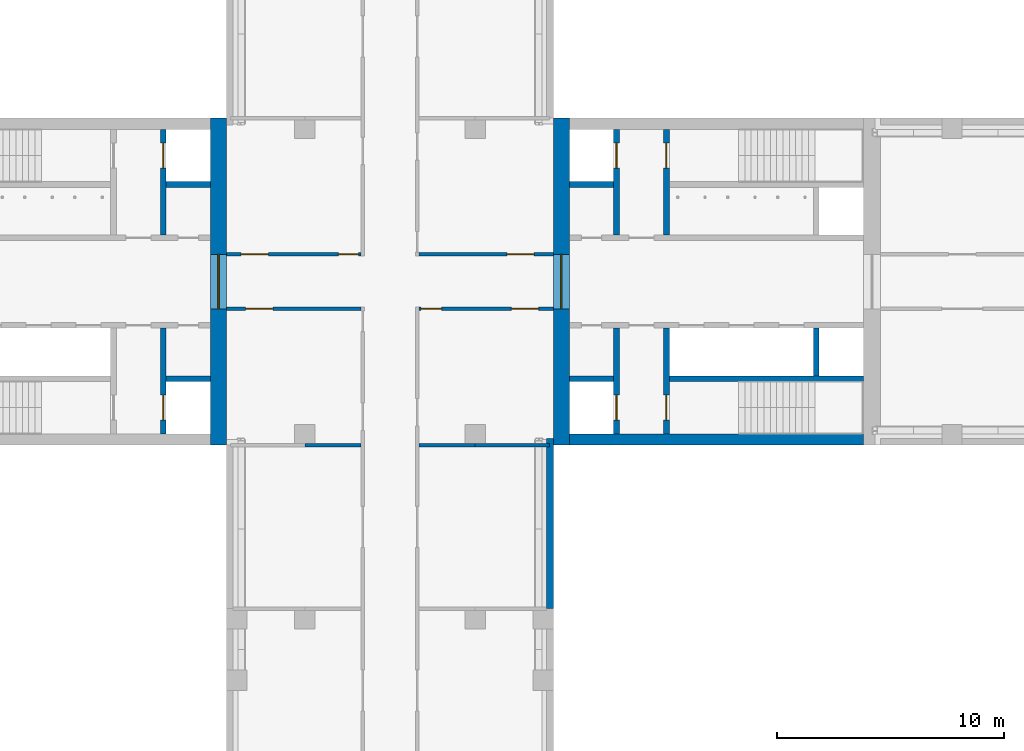
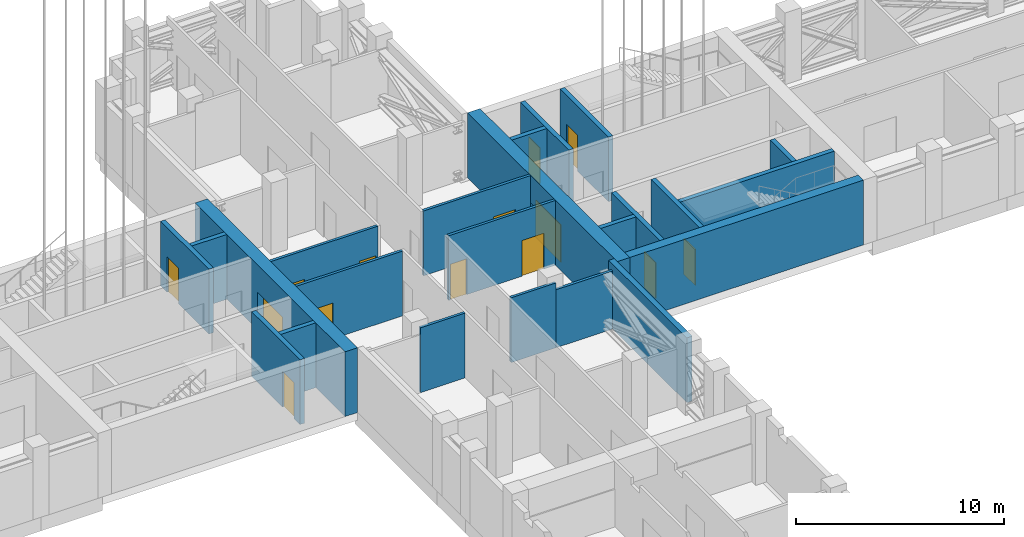
# One storey, part 6 of 22: 23 walls, 14 doors, 14 openings.
"""IFC4 building model written with IfcOpenShell, lengths in metres."""

from ifc_helpers import new_model, si_unit, direction, frame, frame_2d, origin, place, context, subcontext, project, spatial, rectangle, extrude, material, layer, layer_set, type_object, element, fill, save


model = new_model("IFC4")

# Units and contexts
model_context = context("Model", 3, precision=1e-05, world=origin(), true_north=direction((0.0, 1.0)))
body_context = subcontext(model_context, "Body", "Model", "MODEL_VIEW")
ifc_project = project(units=[si_unit("LENGTHUNIT", "METRE"), si_unit("AREAUNIT", "SQUARE_METRE"), si_unit("VOLUMEUNIT", "CUBIC_METRE"), si_unit("PLANEANGLEUNIT", "RADIAN"), si_unit("MASSUNIT", "GRAM", prefix="KILO")], contexts=[model_context])

# Site, building, storey
site_placement = place(None, origin())
site = spatial("IfcSite", under=ifc_project, at=site_placement, CompositionType="ELEMENT")
building_placement = place(site_placement, origin())
building = spatial("IfcBuilding", under=site, at=building_placement, Name="Fustian Cross Tower", CompositionType="ELEMENT")
storey_placement = place(building_placement, frame((0.0, 0.0, 111.89990234375)))
storey = spatial("IfcBuildingStorey", under=building, at=storey_placement, Name="L35", CompositionType="ELEMENT", Elevation=111.89990234375)

# Wall, opening, door
ifc_material_1 = material(Name="Plasterboard on steel stud", Category="steel")
ifc_layer_1 = layer(ifc_material_1, 0.14990234375)
ifc_layer_set_1 = layer_set([ifc_layer_1], Name="Plasterboard on steel stud")
wall_type_1 = type_object("IfcWallType", Name="COMPARTMENT WALL 150 EI 60", PredefinedType="PARTITIONING", material=ifc_layer_set_1)
wall_1_placement = place(storey_placement, frame((-7.199951171875, -1.199951171875, 0.0), z_axis=(0.0, 0.0, 1.0), x_axis=(1.0, 0.0, 0.0)))
wall_1 = element("IfcWall", 1, at=wall_1_placement, inside=storey, type_object=wall_type_1, Name="Partition 6", PredefinedType="PARTITIONING", context=body_context, shape_type="SweptSolid", body=[
    extrude(rectangle(XDim=5.925048828125, YDim=0.14990234375, at=frame_2d((2.96240234375, 0.0))), origin(), (0.0, 0.0, 1.0), 3.800048828125),
])
opening_1_placement = place(wall_1_placement, frame((0.85009765625, 0.0, 0.0)))
opening_1 = element("IfcOpeningElement", 2, at=opening_1_placement, cuts=wall_1, Name="Opening D16007", PredefinedType="OPENING", context=body_context, shape_type="SweptSolid", body=[
    extrude(rectangle(XDim=1.199951171875, YDim=2.10009765625, at=frame_2d((0.60009765625, 1.050048828125))), frame((0.0, 0.0849609375, 0.0), z_axis=(0.0, -1.0, 0.0), x_axis=(1.0, 0.0, 0.0)), (0.0, 0.0, 1.0), 0.169921875),
])
ifc_material_2 = material(Name="Timber fire door set", Category="wood")
door_type_1 = type_object("IfcDoorType", Name="FIRE SWING DOOR 1200 FD60S", OperationType="SINGLE_SWING_LEFT", PredefinedType="DOOR", material=ifc_material_2)
door_1_placement = place(opening_1_placement, frame((1.199951171875, 0.0, 0.0), z_axis=(0.0, 0.0, 1.0), x_axis=(-1.0, 0.0, 0.0)))
door_1 = element("IfcDoor", 3, at=door_1_placement, inside=storey, type_object=door_type_1, Name="Door D16007", OperationType="SINGLE_SWING_RIGHT", OverallHeight=2.10009765625, OverallWidth=1.199951171875, PredefinedType="DOOR", context=body_context, shape_type="SweptSolid", body=[
    extrude(rectangle(XDim=1.199951171875, YDim=2.10009765625, at=frame_2d((0.60009765625, 1.050048828125))), frame((0.0, 0.02490234375, 0.0), z_axis=(0.0, -1.0, 0.0), x_axis=(1.0, 0.0, 0.0)), (0.0, 0.0, 1.0), 0.050048828125),
])
fill(opening_1, door_1)

# Wall, openings, doors
wall_2_placement = place(storey_placement, frame((-7.199951171875, 1.199951171875, 0.0), z_axis=(0.0, 0.0, 1.0), x_axis=(1.0, 0.0, 0.0)))
wall_2 = element("IfcWall", 4, at=wall_2_placement, inside=storey, type_object=wall_type_1, Name="Partition 7", PredefinedType="PARTITIONING", context=body_context, shape_type="SweptSolid", body=[
    extrude(rectangle(XDim=5.925048828125, YDim=0.14990234375, at=frame_2d((2.96240234375, 0.0))), origin(), (0.0, 0.0, 1.0), 3.800048828125),
])
opening_2_placement = place(wall_2_placement, frame((0.64990234375, 0.0, 0.0)))
opening_2 = element("IfcOpeningElement", 5, at=opening_2_placement, cuts=wall_2, Name="Opening D16004", PredefinedType="OPENING", context=body_context, shape_type="SweptSolid", body=[
    extrude(rectangle(XDim=1.199951171875, YDim=2.10009765625, at=frame_2d((0.60009765625, 1.050048828125))), frame((0.0, 0.0849609375, 0.0), z_axis=(0.0, -1.0, 0.0), x_axis=(1.0, 0.0, 0.0)), (0.0, 0.0, 1.0), 0.169921875),
])
opening_3_placement = place(wall_2_placement, frame((4.925048828125, 0.0, 0.0)))
opening_3 = element("IfcOpeningElement", 6, at=opening_3_placement, cuts=wall_2, Name="Opening D16005", PredefinedType="OPENING", context=body_context, shape_type="SweptSolid", body=[
    extrude(rectangle(XDim=0.89990234375, YDim=2.10009765625, at=frame_2d((0.449951171875, 1.050048828125))), frame((0.0, 0.0849609375, 0.0), z_axis=(0.0, -1.0, 0.0), x_axis=(1.0, 0.0, 0.0)), (0.0, 0.0, 1.0), 0.169921875),
])
door_2_placement = place(opening_2_placement, frame((1.199951171875, 0.0, 0.0), z_axis=(0.0, 0.0, 1.0), x_axis=(-1.0, 0.0, 0.0)))
door_2 = element("IfcDoor", 7, at=door_2_placement, inside=storey, type_object=door_type_1, Name="Door D16004", OperationType="SINGLE_SWING_RIGHT", OverallHeight=2.10009765625, OverallWidth=1.199951171875, PredefinedType="DOOR", context=body_context, shape_type="SweptSolid", body=[
    extrude(rectangle(XDim=1.199951171875, YDim=2.10009765625, at=frame_2d((0.60009765625, 1.050048828125))), frame((0.0, 0.02490234375, 0.0), z_axis=(0.0, -1.0, 0.0), x_axis=(1.0, 0.0, 0.0)), (0.0, 0.0, 1.0), 0.050048828125),
])
fill(opening_2, door_2)
ifc_material_3 = material(Name="Timber fire door set", Category="wood")
door_type_2 = type_object("IfcDoorType", Name="FIRE SWING DOOR 900 FD30S", OperationType="SINGLE_SWING_LEFT", PredefinedType="DOOR", material=ifc_material_3)
door_3_placement = place(opening_3_placement, frame((0.89990234375, 0.0, 0.0), z_axis=(0.0, 0.0, 1.0), x_axis=(-1.0, 0.0, 0.0)))
door_3 = element("IfcDoor", 8, at=door_3_placement, inside=storey, type_object=door_type_2, Name="Door D16005", OperationType="SINGLE_SWING_RIGHT", OverallHeight=2.10009765625, OverallWidth=0.89990234375, PredefinedType="DOOR", context=body_context, shape_type="SweptSolid", body=[
    extrude(rectangle(XDim=0.89990234375, YDim=2.10009765625, at=frame_2d((0.449951171875, 1.050048828125))), frame((0.0, 0.02490234375, 0.0), z_axis=(0.0, -1.0, 0.0), x_axis=(1.0, 0.0, 0.0)), (0.0, 0.0, 1.0), 0.050048828125),
])
fill(opening_3, door_3)

# Wall
wall_3_placement = place(storey_placement, frame((1.27490234375, -7.199951171875, 0.0), z_axis=(0.0, 0.0, 1.0), x_axis=(1.0, 0.0, 0.0)))
element("IfcWall", 9, at=wall_3_placement, inside=storey, type_object=wall_type_1, Name="Partition 20", PredefinedType="PARTITIONING", context=body_context, shape_type="SweptSolid", body=[
    extrude(rectangle(XDim=2.47509765625, YDim=0.14990234375, at=frame_2d((1.237548828125, 0.0))), origin(), (0.0, 0.0, 1.0), 3.800048828125),
])

# Wall, openings, doors
wall_4_placement = place(storey_placement, frame((1.27490234375, -1.199951171875, 0.0), z_axis=(0.0, 0.0, 1.0), x_axis=(1.0, 0.0, 0.0)))
wall_4 = element("IfcWall", 10, at=wall_4_placement, inside=storey, type_object=wall_type_1, Name="Partition 21", PredefinedType="PARTITIONING", context=body_context, shape_type="SweptSolid", body=[
    extrude(rectangle(XDim=5.925048828125, YDim=0.14990234375, at=frame_2d((2.96240234375, 0.0))), origin(), (0.0, 0.0, 1.0), 3.800048828125),
])
opening_4_placement = place(wall_4_placement, frame((0.10009765625, 0.0, 0.0)))
opening_4 = element("IfcOpeningElement", 11, at=opening_4_placement, cuts=wall_4, Name="Opening D16011", PredefinedType="OPENING", context=body_context, shape_type="SweptSolid", body=[
    extrude(rectangle(XDim=0.89990234375, YDim=2.10009765625, at=frame_2d((0.449951171875, 1.050048828125))), frame((0.0, 0.0849609375, 0.0), z_axis=(0.0, -1.0, 0.0), x_axis=(1.0, 0.0, 0.0)), (0.0, 0.0, 1.0), 0.169921875),
])
opening_5_placement = place(wall_4_placement, frame((4.074951171875, 0.0, 0.0)))
opening_5 = element("IfcOpeningElement", 12, at=opening_5_placement, cuts=wall_4, Name="Opening D16012", PredefinedType="OPENING", context=body_context, shape_type="SweptSolid", body=[
    extrude(rectangle(XDim=1.199951171875, YDim=2.10009765625, at=frame_2d((0.60009765625, 1.050048828125))), frame((0.0, 0.0849609375, 0.0), z_axis=(0.0, -1.0, 0.0), x_axis=(1.0, 0.0, 0.0)), (0.0, 0.0, 1.0), 0.169921875),
])
ifc_material_4 = material(Name="Timber fire door set", Category="wood")
door_type_3 = type_object("IfcDoorType", Name="FIRE SWING DOOR 1200 FD30S", OperationType="SINGLE_SWING_LEFT", PredefinedType="DOOR", material=ifc_material_4)
door_4_placement = place(opening_5_placement, frame((1.199951171875, 0.0, 0.0), z_axis=(0.0, 0.0, 1.0), x_axis=(-1.0, 0.0, 0.0)))
door_4 = element("IfcDoor", 13, at=door_4_placement, inside=storey, type_object=door_type_3, Name="Door D16012", OperationType="SINGLE_SWING_LEFT", OverallHeight=2.10009765625, OverallWidth=1.199951171875, PredefinedType="DOOR", context=body_context, shape_type="SweptSolid", body=[
    extrude(rectangle(XDim=1.199951171875, YDim=2.10009765625, at=frame_2d((0.60009765625, 1.050048828125))), frame((0.0, 0.02490234375, 0.0), z_axis=(0.0, -1.0, 0.0), x_axis=(1.0, 0.0, 0.0)), (0.0, 0.0, 1.0), 0.050048828125),
])
fill(opening_5, door_4)
door_5_placement = place(opening_4_placement, frame((0.89990234375, 0.0, 0.0), z_axis=(0.0, 0.0, 1.0), x_axis=(-1.0, 0.0, 0.0)))
door_5 = element("IfcDoor", 14, at=door_5_placement, inside=storey, type_object=door_type_2, Name="Door D16011", OperationType="SINGLE_SWING_RIGHT", OverallHeight=2.10009765625, OverallWidth=0.89990234375, PredefinedType="DOOR", context=body_context, shape_type="SweptSolid", body=[
    extrude(rectangle(XDim=0.89990234375, YDim=2.10009765625, at=frame_2d((0.449951171875, 1.050048828125))), frame((0.0, 0.02490234375, 0.0), z_axis=(0.0, -1.0, 0.0), x_axis=(1.0, 0.0, 0.0)), (0.0, 0.0, 1.0), 0.050048828125),
])
fill(opening_4, door_5)

# Wall, opening, door
wall_5_placement = place(storey_placement, frame((1.27490234375, 1.199951171875, 0.0), z_axis=(0.0, 0.0, 1.0), x_axis=(1.0, 0.0, 0.0)))
wall_5 = element("IfcWall", 15, at=wall_5_placement, inside=storey, type_object=wall_type_1, Name="Partition 23", PredefinedType="PARTITIONING", context=body_context, shape_type="SweptSolid", body=[
    extrude(rectangle(XDim=5.925048828125, YDim=0.14990234375, at=frame_2d((2.96240234375, 0.0))), origin(), (0.0, 0.0, 1.0), 3.800048828125),
])
opening_6_placement = place(wall_5_placement, frame((3.875, 0.0, 0.0)))
opening_6 = element("IfcOpeningElement", 16, at=opening_6_placement, cuts=wall_5, Name="Opening D16003", PredefinedType="OPENING", context=body_context, shape_type="SweptSolid", body=[
    extrude(rectangle(XDim=1.199951171875, YDim=2.10009765625, at=frame_2d((0.60009765625, 1.050048828125))), frame((0.0, 0.0849609375, 0.0), z_axis=(0.0, -1.0, 0.0), x_axis=(1.0, 0.0, 0.0)), (0.0, 0.0, 1.0), 0.169921875),
])
door_6_placement = place(opening_6_placement, frame((1.199951171875, 0.0, 0.0), z_axis=(0.0, 0.0, 1.0), x_axis=(-1.0, 0.0, 0.0)))
door_6 = element("IfcDoor", 17, at=door_6_placement, inside=storey, type_object=door_type_1, Name="Door D16003", OperationType="SINGLE_SWING_LEFT", OverallHeight=2.10009765625, OverallWidth=1.199951171875, PredefinedType="DOOR", context=body_context, shape_type="SweptSolid", body=[
    extrude(rectangle(XDim=1.199951171875, YDim=2.10009765625, at=frame_2d((0.60009765625, 1.050048828125))), frame((0.0, 0.02490234375, 0.0), z_axis=(0.0, -1.0, 0.0), x_axis=(1.0, 0.0, 0.0)), (0.0, 0.0, 1.0), 0.050048828125),
])
fill(opening_6, door_6)

# Walls
wall_6_placement = place(storey_placement, frame((-3.75, -7.199951171875, 0.0), z_axis=(0.0, 0.0, 1.0), x_axis=(1.0, 0.0, 0.0)))
element("IfcWall", 18, at=wall_6_placement, inside=storey, type_object=wall_type_1, Name="Partition 11", PredefinedType="PARTITIONING", context=body_context, shape_type="SweptSolid", body=[
    extrude(rectangle(XDim=2.47509765625, YDim=0.14990234375, at=frame_2d((1.237548828125, 0.0))), origin(), (0.0, 0.0, 1.0), 3.800048828125),
])
wall_7_placement = place(storey_placement, frame((3.75, -7.199951171875, 0.0), z_axis=(0.0, 0.0, 1.0), x_axis=(1.0, 0.0, 0.0)))
element("IfcWall", 19, at=wall_7_placement, inside=storey, type_object=wall_type_1, Name="Partition 20", PredefinedType="PARTITIONING", context=body_context, shape_type="SweptSolid", body=[
    extrude(rectangle(XDim=3.27001953125, YDim=0.14990234375, at=frame_2d((1.635009765625, 0.0))), origin(), (0.0, 0.0, 1.0), 3.400146484375),
])

# Wall, opening, door
ifc_material_5 = material(Name="Concrete C70/85", Category="concrete")
ifc_layer_2 = layer(ifc_material_5, 0.699951171875)
ifc_layer_set_2 = layer_set([ifc_layer_2], Name="Concrete C70/85")
wall_type_2 = type_object("IfcWallType", Name="CORE END WALL 700 C70/85", PredefinedType="SHEAR", material=ifc_layer_set_2)
wall_8_placement = place(storey_placement, frame((7.550048828125, -7.199951171875, 0.0), z_axis=(0.0, 0.0, 1.0), x_axis=(0.0, 1.0, 0.0)))
wall_8 = element("IfcWall", 20, at=wall_8_placement, inside=storey, type_object=wall_type_2, Name="Core end wall", PredefinedType="SHEAR", context=body_context, shape_type="SweptSolid", body=[
    extrude(rectangle(XDim=14.39990234375, YDim=0.699951171875, at=frame_2d((7.199951171875, 0.0))), origin(), (0.0, 0.0, 1.0), 3.800048828125),
])
opening_7_placement = place(wall_8_placement, frame((6.0, 0.0, 0.0)))
opening_7 = element("IfcOpeningElement", 21, at=opening_7_placement, cuts=wall_8, Name="Opening CD-13-12", PredefinedType="OPENING", context=body_context, shape_type="SweptSolid", body=[
    extrude(rectangle(XDim=2.39990234375, YDim=2.199951171875, at=frame_2d((1.199951171875, 1.10009765625))), frame((0.0, 0.35986328125, 0.0), z_axis=(0.0, -1.0, 0.0), x_axis=(1.0, 0.0, 0.0)), (0.0, 0.0, 1.0), 0.719970703125),
])
ifc_material_6 = material(Name="Steel", Category="steel")
door_type_4 = type_object("IfcDoorType", Name="FIRE DOOR FD30S DOUBLE 2400X2200", OperationType="DOUBLE_DOOR_DOUBLE_SWING", PredefinedType="DOOR", material=ifc_material_6)
door_7_placement = place(opening_7_placement, frame((2.39990234375, 0.0, 0.0), z_axis=(0.0, 0.0, 1.0), x_axis=(-1.0, 0.0, 0.0)))
door_7 = element("IfcDoor", 22, at=door_7_placement, inside=storey, type_object=door_type_4, Name="Core door CD-13-12", OperationType="DOUBLE_DOOR_DOUBLE_SWING", OverallHeight=2.199951171875, OverallWidth=2.39990234375, PredefinedType="DOOR", context=body_context, shape_type="SweptSolid", body=[
    extrude(rectangle(XDim=2.39990234375, YDim=2.199951171875, at=frame_2d((1.199951171875, 1.10009765625))), frame((0.0, 0.02490234375, 0.0), z_axis=(0.0, -1.0, 0.0), x_axis=(1.0, 0.0, 0.0)), (0.0, 0.0, 1.0), 0.050048828125),
])
fill(opening_7, door_7)

wall_9_placement = place(storey_placement, frame((-7.550048828125, -7.199951171875, 0.0), z_axis=(0.0, 0.0, 1.0), x_axis=(0.0, 1.0, 0.0)))
wall_9 = element("IfcWall", 23, at=wall_9_placement, inside=storey, type_object=wall_type_2, Name="Core end wall", PredefinedType="SHEAR", context=body_context, shape_type="SweptSolid", body=[
    extrude(rectangle(XDim=14.39990234375, YDim=0.699951171875, at=frame_2d((7.199951171875, 0.0))), origin(), (0.0, 0.0, 1.0), 3.800048828125),
])
opening_8_placement = place(wall_9_placement, frame((6.0, 0.0, 0.0)))
opening_8 = element("IfcOpeningElement", 24, at=opening_8_placement, cuts=wall_9, Name="Opening CD-13-25", PredefinedType="OPENING", context=body_context, shape_type="SweptSolid", body=[
    extrude(rectangle(XDim=2.39990234375, YDim=2.199951171875, at=frame_2d((1.199951171875, 1.10009765625))), frame((0.0, 0.35986328125, 0.0), z_axis=(0.0, -1.0, 0.0), x_axis=(1.0, 0.0, 0.0)), (0.0, 0.0, 1.0), 0.719970703125),
])
door_8_placement = place(opening_8_placement, origin())
door_8 = element("IfcDoor", 25, at=door_8_placement, inside=storey, type_object=door_type_4, Name="Core door CD-13-25", OperationType="DOUBLE_DOOR_DOUBLE_SWING", OverallHeight=2.199951171875, OverallWidth=2.39990234375, PredefinedType="DOOR", context=body_context, shape_type="SweptSolid", body=[
    extrude(rectangle(XDim=2.39990234375, YDim=2.199951171875, at=frame_2d((1.199951171875, 1.10009765625))), frame((0.0, 0.02490234375, 0.0), z_axis=(0.0, -1.0, 0.0), x_axis=(1.0, 0.0, 0.0)), (0.0, 0.0, 1.0), 0.050048828125),
])
fill(opening_8, door_8)

# Walls
ifc_material_7 = material(Name="Concrete C70/85", Category="concrete")
ifc_layer_3 = layer(ifc_material_7, 0.5)
ifc_layer_set_3 = layer_set([ifc_layer_3], Name="Concrete C70/85")
wall_type_3 = type_object("IfcWallType", Name="CORE FACADE WALL 500 C70/85", PredefinedType="SHEAR", material=ifc_layer_set_3)
wall_10_placement = place(storey_placement, frame((7.89990234375, -6.949951171875, 0.0), z_axis=(0.0, 0.0, 1.0), x_axis=(1.0, 0.0, 0.0)))
element("IfcWall", 26, at=wall_10_placement, inside=storey, type_object=wall_type_3, Name="Core facade wall", PredefinedType="SHEAR", context=body_context, shape_type="SweptSolid", body=[
    extrude(rectangle(XDim=12.9501953125, YDim=0.5, at=frame_2d((6.47509765625, 0.0))), origin(), (0.0, 0.0, 1.0), 3.800048828125),
])
ifc_material_8 = material(Name="Concrete C50/60", Category="concrete")
ifc_layer_4 = layer(ifc_material_8, 0.25)
ifc_layer_set_4 = layer_set([ifc_layer_4], Name="Concrete C50/60")
wall_type_4 = type_object("IfcWallType", Name="CORE SHAFT WALL 250 C50/60", PredefinedType="SHEAR", material=ifc_layer_set_4)
wall_11_placement = place(storey_placement, frame((7.89990234375, 4.27490234375, 0.0), z_axis=(0.0, 0.0, 1.0), x_axis=(1.0, 0.0, 0.0)))
element("IfcWall", 27, at=wall_11_placement, inside=storey, type_object=wall_type_4, Name="Core shaft wall", PredefinedType="SHEAR", context=body_context, shape_type="SweptSolid", body=[
    extrude(rectangle(XDim=1.9501953125, YDim=0.25, at=frame_2d((0.97509765625, 0.0))), origin(), (0.0, 0.0, 1.0), 3.800048828125),
])

# Wall, opening, door
wall_12_placement = place(storey_placement, frame((9.97509765625, 2.050048828125, 0.0), z_axis=(0.0, 0.0, 1.0), x_axis=(0.0, 1.0, 0.0)))
wall_12 = element("IfcWall", 28, at=wall_12_placement, inside=storey, type_object=wall_type_4, Name="Core shaft wall", PredefinedType="SHEAR", context=body_context, shape_type="SweptSolid", body=[
    extrude(rectangle(XDim=4.64990234375, YDim=0.25, at=frame_2d((2.324951171875, 0.0))), origin(), (0.0, 0.0, 1.0), 3.800048828125),
])
opening_9_placement = place(wall_12_placement, frame((2.949951171875, 0.0, 0.0)))
opening_9 = element("IfcOpeningElement", 29, at=opening_9_placement, cuts=wall_12, Name="Opening LD", PredefinedType="OPENING", context=body_context, shape_type="SweptSolid", body=[
    extrude(rectangle(XDim=1.10009765625, YDim=2.10009765625, at=frame_2d((0.550048828125, 1.050048828125))), frame((0.0, 0.135009765625, 0.0), z_axis=(0.0, -1.0, 0.0), x_axis=(1.0, 0.0, 0.0)), (0.0, 0.0, 1.0), 0.27001953125),
])
ifc_material_9 = material(Name="Stainless steel", Category="steel")
door_type_5 = type_object("IfcDoorType", Name="LIFT LANDING DOOR 1100X2100", OperationType="SLIDING_TO_LEFT", PredefinedType="DOOR", material=ifc_material_9)
door_9_placement = place(opening_9_placement, origin())
door_9 = element("IfcDoor", 30, at=door_9_placement, inside=storey, type_object=door_type_5, Name="Landing door FL1", OperationType="SLIDING_TO_LEFT", OverallHeight=2.10009765625, OverallWidth=1.10009765625, PredefinedType="DOOR", context=body_context, shape_type="SweptSolid", body=[
    extrude(rectangle(XDim=1.10009765625, YDim=2.10009765625, at=frame_2d((0.550048828125, 1.050048828125))), frame((0.0, 0.02490234375, 0.0), z_axis=(0.0, -1.0, 0.0), x_axis=(1.0, 0.0, 0.0)), (0.0, 0.0, 1.0), 0.050048828125),
])
fill(opening_9, door_9)

wall_13_placement = place(storey_placement, frame((12.175048828125, 2.050048828125, 0.0), z_axis=(0.0, 0.0, 1.0), x_axis=(0.0, 1.0, 0.0)))
wall_13 = element("IfcWall", 31, at=wall_13_placement, inside=storey, type_object=wall_type_4, Name="Core shaft wall", PredefinedType="SHEAR", context=body_context, shape_type="SweptSolid", body=[
    extrude(rectangle(XDim=4.64990234375, YDim=0.25, at=frame_2d((2.324951171875, 0.0))), origin(), (0.0, 0.0, 1.0), 3.800048828125),
])
opening_10_placement = place(wall_13_placement, frame((2.949951171875, 0.0, 0.0)))
opening_10 = element("IfcOpeningElement", 32, at=opening_10_placement, cuts=wall_13, Name="Opening CD-13-06", PredefinedType="OPENING", context=body_context, shape_type="SweptSolid", body=[
    extrude(rectangle(XDim=1.10009765625, YDim=2.10009765625, at=frame_2d((0.550048828125, 1.050048828125))), frame((0.0, 0.135009765625, 0.0), z_axis=(0.0, -1.0, 0.0), x_axis=(1.0, 0.0, 0.0)), (0.0, 0.0, 1.0), 0.27001953125),
])
ifc_material_10 = material(Name="Steel", Category="steel")
door_type_6 = type_object("IfcDoorType", Name="FIRE DOOR FD60S 1100X2100", OperationType="SINGLE_SWING_LEFT", PredefinedType="DOOR", material=ifc_material_10)
door_10_placement = place(opening_10_placement, frame((1.10009765625, 0.0, 0.0), z_axis=(0.0, 0.0, 1.0), x_axis=(-1.0, 0.0, 0.0)))
door_10 = element("IfcDoor", 33, at=door_10_placement, inside=storey, type_object=door_type_6, Name="Core door CD-13-06", OperationType="SINGLE_SWING_RIGHT", OverallHeight=2.10009765625, OverallWidth=1.10009765625, PredefinedType="DOOR", context=body_context, shape_type="SweptSolid", body=[
    extrude(rectangle(XDim=1.10009765625, YDim=2.10009765625, at=frame_2d((0.550048828125, 1.050048828125))), frame((0.0, 0.02490234375, 0.0), z_axis=(0.0, -1.0, 0.0), x_axis=(1.0, 0.0, 0.0)), (0.0, 0.0, 1.0), 0.050048828125),
])
fill(opening_10, door_10)

# Walls
wall_14_placement = place(storey_placement, frame((7.89990234375, -4.27490234375, 0.0), z_axis=(0.0, 0.0, 1.0), x_axis=(1.0, 0.0, 0.0)))
element("IfcWall", 34, at=wall_14_placement, inside=storey, type_object=wall_type_4, Name="Core shaft wall", PredefinedType="SHEAR", context=body_context, shape_type="SweptSolid", body=[
    extrude(rectangle(XDim=1.9501953125, YDim=0.25, at=frame_2d((0.97509765625, 0.0))), origin(), (0.0, 0.0, 1.0), 3.800048828125),
])
wall_15_placement = place(storey_placement, frame((12.300048828125, -4.27490234375, 0.0), z_axis=(0.0, 0.0, 1.0), x_axis=(1.0, 0.0, 0.0)))
element("IfcWall", 35, at=wall_15_placement, inside=storey, type_object=wall_type_4, Name="Core shaft wall", PredefinedType="SHEAR", context=body_context, shape_type="SweptSolid", body=[
    extrude(rectangle(XDim=8.550048828125, YDim=0.25, at=frame_2d((4.27490234375, 0.0))), origin(), (0.0, 0.0, 1.0), 3.800048828125),
])

# Wall, opening, door
wall_16_placement = place(storey_placement, frame((9.97509765625, -2.050048828125, 0.0), z_axis=(0.0, 0.0, 1.0), x_axis=(0.0, -1.0, 0.0)))
wall_16 = element("IfcWall", 36, at=wall_16_placement, inside=storey, type_object=wall_type_4, Name="Core shaft wall", PredefinedType="SHEAR", context=body_context, shape_type="SweptSolid", body=[
    extrude(rectangle(XDim=4.64990234375, YDim=0.25, at=frame_2d((2.324951171875, 0.0))), origin(), (0.0, 0.0, 1.0), 3.800048828125),
])
opening_11_placement = place(wall_16_placement, frame((2.949951171875, 0.0, 0.0)))
opening_11 = element("IfcOpeningElement", 37, at=opening_11_placement, cuts=wall_16, Name="Opening LD", PredefinedType="OPENING", context=body_context, shape_type="SweptSolid", body=[
    extrude(rectangle(XDim=1.10009765625, YDim=2.10009765625, at=frame_2d((0.550048828125, 1.050048828125))), frame((0.0, 0.135009765625, 0.0), z_axis=(0.0, -1.0, 0.0), x_axis=(1.0, 0.0, 0.0)), (0.0, 0.0, 1.0), 0.27001953125),
])
door_11_placement = place(opening_11_placement, origin())
door_11 = element("IfcDoor", 38, at=door_11_placement, inside=storey, type_object=door_type_5, Name="Landing door SV1", OperationType="SLIDING_TO_LEFT", OverallHeight=2.10009765625, OverallWidth=1.10009765625, PredefinedType="DOOR", context=body_context, shape_type="SweptSolid", body=[
    extrude(rectangle(XDim=1.10009765625, YDim=2.10009765625, at=frame_2d((0.550048828125, 1.050048828125))), frame((0.0, 0.02490234375, 0.0), z_axis=(0.0, -1.0, 0.0), x_axis=(1.0, 0.0, 0.0)), (0.0, 0.0, 1.0), 0.050048828125),
])
fill(opening_11, door_11)

wall_17_placement = place(storey_placement, frame((12.175048828125, -2.050048828125, 0.0), z_axis=(0.0, 0.0, 1.0), x_axis=(0.0, -1.0, 0.0)))
wall_17 = element("IfcWall", 39, at=wall_17_placement, inside=storey, type_object=wall_type_4, Name="Core shaft wall", PredefinedType="SHEAR", context=body_context, shape_type="SweptSolid", body=[
    extrude(rectangle(XDim=4.64990234375, YDim=0.25, at=frame_2d((2.324951171875, 0.0))), origin(), (0.0, 0.0, 1.0), 3.800048828125),
])
opening_12_placement = place(wall_17_placement, frame((2.949951171875, 0.0, 0.0)))
opening_12 = element("IfcOpeningElement", 40, at=opening_12_placement, cuts=wall_17, Name="Opening CD-13-07", PredefinedType="OPENING", context=body_context, shape_type="SweptSolid", body=[
    extrude(rectangle(XDim=1.10009765625, YDim=2.10009765625, at=frame_2d((0.550048828125, 1.050048828125))), frame((0.0, 0.135009765625, 0.0), z_axis=(0.0, -1.0, 0.0), x_axis=(1.0, 0.0, 0.0)), (0.0, 0.0, 1.0), 0.27001953125),
])
door_12_placement = place(opening_12_placement, origin())
door_12 = element("IfcDoor", 41, at=door_12_placement, inside=storey, type_object=door_type_6, Name="Core door CD-13-07", OperationType="SINGLE_SWING_LEFT", OverallHeight=2.10009765625, OverallWidth=1.10009765625, PredefinedType="DOOR", context=body_context, shape_type="SweptSolid", body=[
    extrude(rectangle(XDim=1.10009765625, YDim=2.10009765625, at=frame_2d((0.550048828125, 1.050048828125))), frame((0.0, 0.02490234375, 0.0), z_axis=(0.0, -1.0, 0.0), x_axis=(1.0, 0.0, 0.0)), (0.0, 0.0, 1.0), 0.050048828125),
])
fill(opening_12, door_12)

# Wall
wall_18_placement = place(storey_placement, frame((-7.89990234375, 4.27490234375, 0.0), z_axis=(0.0, 0.0, 1.0), x_axis=(-1.0, 0.0, 0.0)))
element("IfcWall", 42, at=wall_18_placement, inside=storey, type_object=wall_type_4, Name="Core shaft wall", PredefinedType="SHEAR", context=body_context, shape_type="SweptSolid", body=[
    extrude(rectangle(XDim=1.9501953125, YDim=0.25, at=frame_2d((0.97509765625, 0.0))), origin(), (0.0, 0.0, 1.0), 3.800048828125),
])

# Wall, opening, door
wall_19_placement = place(storey_placement, frame((-9.97509765625, 2.050048828125, 0.0), z_axis=(0.0, 0.0, 1.0), x_axis=(0.0, 1.0, 0.0)))
wall_19 = element("IfcWall", 43, at=wall_19_placement, inside=storey, type_object=wall_type_4, Name="Core shaft wall", PredefinedType="SHEAR", context=body_context, shape_type="SweptSolid", body=[
    extrude(rectangle(XDim=4.64990234375, YDim=0.25, at=frame_2d((2.324951171875, 0.0))), origin(), (0.0, 0.0, 1.0), 3.800048828125),
])
opening_13_placement = place(wall_19_placement, frame((2.949951171875, 0.0, 0.0)))
opening_13 = element("IfcOpeningElement", 44, at=opening_13_placement, cuts=wall_19, Name="Opening LD", PredefinedType="OPENING", context=body_context, shape_type="SweptSolid", body=[
    extrude(rectangle(XDim=1.10009765625, YDim=2.10009765625, at=frame_2d((0.550048828125, 1.050048828125))), frame((0.0, 0.135009765625, 0.0), z_axis=(0.0, -1.0, 0.0), x_axis=(1.0, 0.0, 0.0)), (0.0, 0.0, 1.0), 0.27001953125),
])
door_13_placement = place(opening_13_placement, origin())
door_13 = element("IfcDoor", 45, at=door_13_placement, inside=storey, type_object=door_type_5, Name="Landing door FL1W", OperationType="SLIDING_TO_LEFT", OverallHeight=2.10009765625, OverallWidth=1.10009765625, PredefinedType="DOOR", context=body_context, shape_type="SweptSolid", body=[
    extrude(rectangle(XDim=1.10009765625, YDim=2.10009765625, at=frame_2d((0.550048828125, 1.050048828125))), frame((0.0, 0.02490234375, 0.0), z_axis=(0.0, -1.0, 0.0), x_axis=(1.0, 0.0, 0.0)), (0.0, 0.0, 1.0), 0.050048828125),
])
fill(opening_13, door_13)

# Wall
wall_20_placement = place(storey_placement, frame((-7.89990234375, -4.27490234375, 0.0), z_axis=(0.0, 0.0, 1.0), x_axis=(-1.0, 0.0, 0.0)))
element("IfcWall", 46, at=wall_20_placement, inside=storey, type_object=wall_type_4, Name="Core shaft wall", PredefinedType="SHEAR", context=body_context, shape_type="SweptSolid", body=[
    extrude(rectangle(XDim=1.9501953125, YDim=0.25, at=frame_2d((0.97509765625, 0.0))), origin(), (0.0, 0.0, 1.0), 3.800048828125),
])

# Wall, opening, door
wall_21_placement = place(storey_placement, frame((-9.97509765625, -2.050048828125, 0.0), z_axis=(0.0, 0.0, 1.0), x_axis=(0.0, -1.0, 0.0)))
wall_21 = element("IfcWall", 47, at=wall_21_placement, inside=storey, type_object=wall_type_4, Name="Core shaft wall", PredefinedType="SHEAR", context=body_context, shape_type="SweptSolid", body=[
    extrude(rectangle(XDim=4.64990234375, YDim=0.25, at=frame_2d((2.324951171875, 0.0))), origin(), (0.0, 0.0, 1.0), 3.800048828125),
])
opening_14_placement = place(wall_21_placement, frame((2.949951171875, 0.0, 0.0)))
opening_14 = element("IfcOpeningElement", 48, at=opening_14_placement, cuts=wall_21, Name="Opening LD", PredefinedType="OPENING", context=body_context, shape_type="SweptSolid", body=[
    extrude(rectangle(XDim=1.10009765625, YDim=2.10009765625, at=frame_2d((0.550048828125, 1.050048828125))), frame((0.0, 0.135009765625, 0.0), z_axis=(0.0, -1.0, 0.0), x_axis=(1.0, 0.0, 0.0)), (0.0, 0.0, 1.0), 0.27001953125),
])
door_14_placement = place(opening_14_placement, origin())
door_14 = element("IfcDoor", 49, at=door_14_placement, inside=storey, type_object=door_type_5, Name="Landing door SV1W", OperationType="SLIDING_TO_LEFT", OverallHeight=2.10009765625, OverallWidth=1.10009765625, PredefinedType="DOOR", context=body_context, shape_type="SweptSolid", body=[
    extrude(rectangle(XDim=1.10009765625, YDim=2.10009765625, at=frame_2d((0.550048828125, 1.050048828125))), frame((0.0, 0.02490234375, 0.0), z_axis=(0.0, -1.0, 0.0), x_axis=(1.0, 0.0, 0.0)), (0.0, 0.0, 1.0), 0.050048828125),
])
fill(opening_14, door_14)

# Walls
ifc_material_11 = material(Name="Concrete C40/50", Category="concrete")
ifc_layer_5 = layer(ifc_material_11, 0.25)
ifc_layer_set_5 = layer_set([ifc_layer_5], Name="Concrete C40/50")
wall_type_5 = type_object("IfcWallType", Name="SHAFT PARTITION WALL 250 C40/50", PredefinedType="PARTITIONING", material=ifc_layer_set_5)
wall_22_placement = place(storey_placement, frame((18.77490234375, -2.050048828125, 0.0), z_axis=(0.0, 0.0, 1.0), x_axis=(0.0, -1.0, 0.0)))
element("IfcWall", 50, at=wall_22_placement, inside=storey, type_object=wall_type_5, Name="Core shaft wall", PredefinedType="PARTITIONING", context=body_context, shape_type="SweptSolid", body=[
    extrude(rectangle(XDim=2.099853515625, YDim=0.25, at=frame_2d((1.0498046875, 0.0))), origin(), (0.0, 0.0, 1.0), 3.800048828125),
])
ifc_material_12 = material(Name="Dark aluminium louvres on insulated backing wall", Category="aluminium")
ifc_layer_6 = layer(ifc_material_12, 0.300048828125)
ifc_layer_set_6 = layer_set([ifc_layer_6], Name="Dark aluminium louvres on insulated backing wall")
wall_type_6 = type_object("IfcWallType", Name="XW2 LOUVRED PLANT WALL 300", PredefinedType="SOLIDWALL", material=ifc_layer_set_6)
wall_23_placement = place(storey_placement, frame((7.050048828125, -14.39990234375, 0.0), z_axis=(0.0, 0.0, 1.0), x_axis=(0.0, 1.0, 0.0)))
element("IfcWall", 51, at=wall_23_placement, inside=storey, type_object=wall_type_6, Name="Plant louvre wall", PredefinedType="SOLIDWALL", context=body_context, shape_type="SweptSolid", body=[
    extrude(rectangle(XDim=7.5, YDim=0.300048828125, at=frame_2d((3.75, 0.0))), origin(), (0.0, 0.0, 1.0), 3.800048828125),
])

save(model, "model.ifc")
